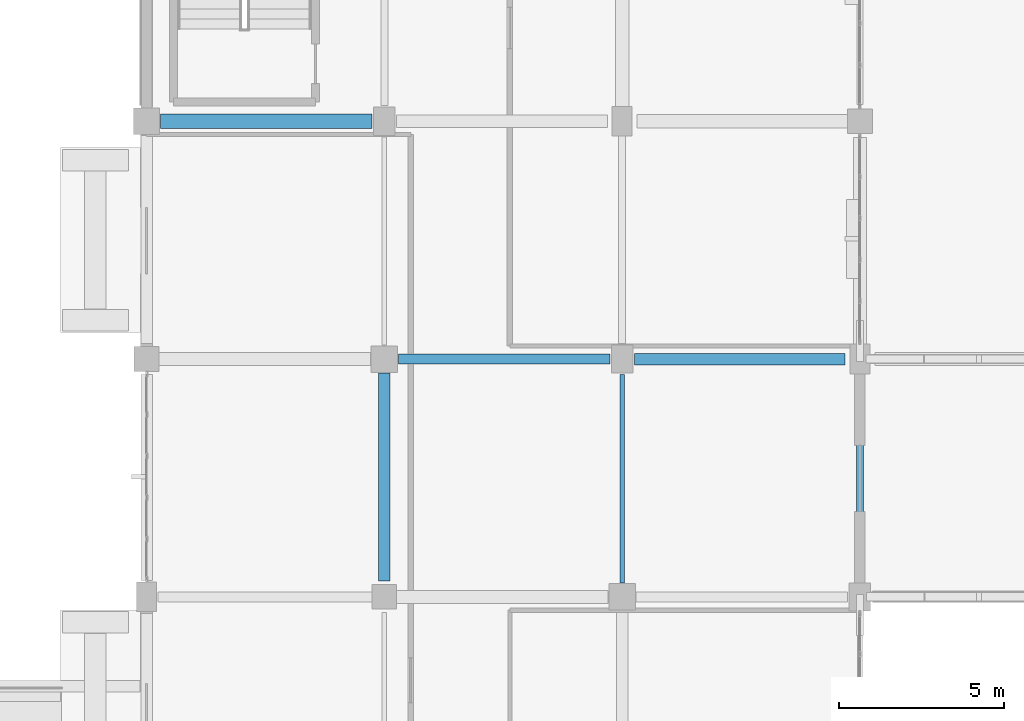
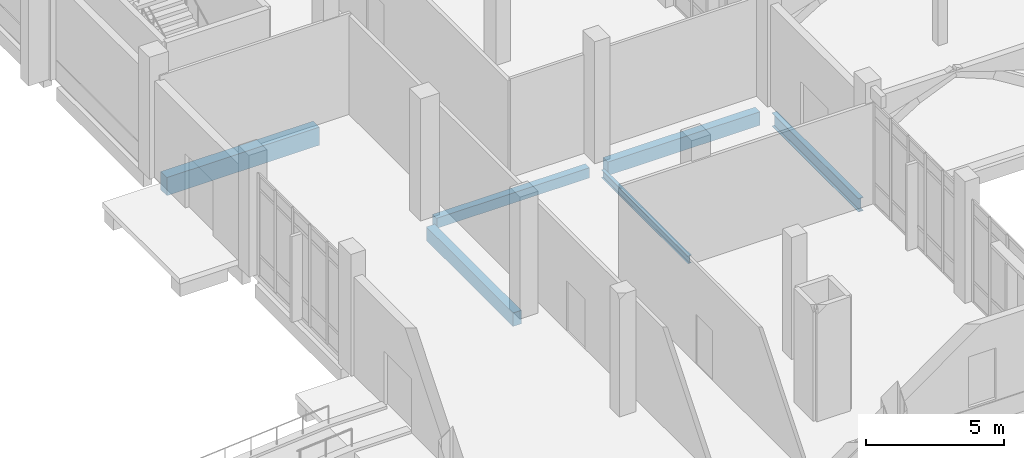
# One storey, part 14 of 110: 6 beams.
"""IFC4 building model written with IfcOpenShell, lengths in metres."""

from ifc_helpers import new_model, si_unit, direction, frame, origin, origin_2d, place, context, subcontext, project, spatial, rectangle, i_section, extrude, material, material_profile, profile_set, type_object, element, save


model = new_model("IFC4")

# Units and contexts
model_context = context("Model", 3, precision=1e-05, world=origin(), true_north=direction((0.0, 1.0)))
body_context = subcontext(model_context, "Body", "Model", "MODEL_VIEW")
ifc_project = project(units=[si_unit("LENGTHUNIT", "METRE"), si_unit("AREAUNIT", "SQUARE_METRE"), si_unit("VOLUMEUNIT", "CUBIC_METRE"), si_unit("PLANEANGLEUNIT", "RADIAN"), si_unit("MASSUNIT", "GRAM", prefix="KILO")], contexts=[model_context])

# Site, building, storey
site_placement = place(None, origin())
site = spatial("IfcSite", under=ifc_project, at=site_placement, CompositionType="ELEMENT")
building_placement = place(site_placement, origin())
building = spatial("IfcBuilding", under=site, at=building_placement, Name="Kalluvel Institute of Natural Sciences", CompositionType="ELEMENT")
storey_placement = place(building_placement, origin())
storey = spatial("IfcBuildingStorey", under=building, at=storey_placement, Name="L00", CompositionType="ELEMENT", Elevation=0.0)

# Beams
ifc_material_1 = material(Name="Steel E350 Grade 350", Category="steel")
ifc_material_profile_1 = material_profile(ifc_material_1, i_section(OverallWidth=0.139892578125, OverallDepth=0.35009765625, WebThickness=0.008056640625, FlangeThickness=0.01416015625, FilletRadius=0.013916015625, at=origin_2d()), Name="ISMB 350")
ifc_profile_set_1 = profile_set([ifc_material_profile_1], Name="Steel E350 Grade 350")
beam_type_1 = type_object("IfcBeamType", Name="BM-ISMB350", PredefinedType="BEAM", material=ifc_profile_set_1)
beam_1_placement = place(storey_placement, frame((28.39990234375, 28.824951171875, -0.4951171875), z_axis=(0.0, 1.0, 0.0), x_axis=(-1.0, 0.0, 0.0)))
element("IfcBeam", 1, at=beam_1_placement, inside=storey, type_object=beam_type_1, Name="L00 girder GIR-L00-NS-X284-Y284", PredefinedType="BEAM", context=body_context, shape_type="SweptSolid", body=[
    extrude(i_section(OverallWidth=0.139892578125, OverallDepth=0.35009765625, WebThickness=0.008056640625, FlangeThickness=0.01416015625, FilletRadius=0.013916015625, at=origin_2d()), origin(), (0.0, 0.0, 1.0), 6.300048828125),
])
ifc_material_profile_2 = material_profile(ifc_material_1, i_section(OverallWidth=0.2099609375, OverallDepth=0.60009765625, WebThickness=0.011962890625, FlangeThickness=0.020751953125, FilletRadius=0.02001953125, at=origin_2d()), Name="ISMB 600")
ifc_profile_set_2 = profile_set([ifc_material_profile_2], Name="Steel E350 Grade 350")
beam_type_2 = type_object("IfcBeamType", Name="BM-ISMB600", PredefinedType="BEAM", material=ifc_profile_set_2)
beam_2_placement = place(storey_placement, frame((35.60009765625, 28.875, -0.6201171875), z_axis=(0.0, 1.0, 0.0), x_axis=(-1.0, 0.0, 0.0)))
element("IfcBeam", 2, at=beam_2_placement, inside=storey, type_object=beam_type_2, Name="L00 girder GIR-L00-NS-X356-Y284", PredefinedType="BEAM", context=body_context, shape_type="SweptSolid", body=[
    extrude(i_section(OverallWidth=0.2099609375, OverallDepth=0.60009765625, WebThickness=0.011962890625, FlangeThickness=0.020751953125, FilletRadius=0.02001953125, at=origin_2d()), origin(), (0.0, 0.0, 1.0), 6.27490234375),
])
ifc_material_2 = material(Name="Concrete M40", Category="concrete")
ifc_material_profile_3 = material_profile(ifc_material_2, rectangle(XDim=0.35009765625, YDim=0.60009765625, at=origin_2d()), Name="RCB 350x600")
ifc_profile_set_3 = profile_set([ifc_material_profile_3], Name="Concrete M40")
beam_type_3 = type_object("IfcBeamType", Name="BM-RC350x600", PredefinedType="BEAM", material=ifc_profile_set_3)
beam_3_placement = place(storey_placement, frame((21.199951171875, 28.875, -0.6201171875), z_axis=(0.0, 1.0, 0.0), x_axis=(-1.0, 0.0, 0.0)))
element("IfcBeam", 3, at=beam_3_placement, inside=storey, type_object=beam_type_3, Name="L00 girder GIR-L00-NS-X212-Y284", PredefinedType="BEAM", context=body_context, shape_type="SweptSolid", body=[
    extrude(rectangle(XDim=0.35009765625, YDim=0.60009765625, at=origin_2d()), origin(), (0.0, 0.0, 1.0), 6.300048828125),
])
ifc_material_profile_4 = material_profile(ifc_material_2, rectangle(XDim=0.449951171875, YDim=0.800048828125, at=origin_2d()), Name="RCB 450x800")
ifc_profile_set_4 = profile_set([ifc_material_profile_4], Name="Concrete M40")
beam_type_4 = type_object("IfcBeamType", Name="BM-RC450x800", PredefinedType="BEAM", material=ifc_profile_set_4)
beam_4_placement = place(storey_placement, frame((14.425048828125, 42.800048828125, -0.719970703125), z_axis=(1.0, 0.0, 0.0), x_axis=(0.0, 1.0, 0.0)))
element("IfcBeam", 4, at=beam_4_placement, inside=storey, type_object=beam_type_4, Name="L00 girder GIR-L00-EW-X140-Y428", PredefinedType="BEAM", context=body_context, shape_type="SweptSolid", body=[
    extrude(rectangle(XDim=0.449951171875, YDim=0.800048828125, at=origin_2d()), origin(), (0.0, 0.0, 1.0), 6.39990234375),
])
ifc_material_profile_5 = material_profile(ifc_material_2, rectangle(XDim=0.300048828125, YDim=0.449951171875, at=origin_2d()), Name="RCB 300x450")
ifc_profile_set_5 = profile_set([ifc_material_profile_5], Name="Concrete M40")
beam_type_5 = type_object("IfcBeamType", Name="SP-RC300x450", PredefinedType="SPANDREL", material=ifc_profile_set_5)
beam_5_placement = place(storey_placement, frame((21.625, 35.60009765625, -0.544921875), z_axis=(1.0, 0.0, 0.0), x_axis=(0.0, 1.0, 0.0)))
element("IfcBeam", 5, at=beam_5_placement, inside=storey, type_object=beam_type_5, Name="L00 girder GIR-L00-EW-X212-Y356", PredefinedType="SPANDREL", context=body_context, shape_type="SweptSolid", body=[
    extrude(rectangle(XDim=0.300048828125, YDim=0.449951171875, at=origin_2d()), origin(), (0.0, 0.0, 1.0), 6.39990234375),
])
ifc_material_profile_6 = material_profile(ifc_material_2, rectangle(XDim=0.35009765625, YDim=0.60009765625, at=origin_2d()), Name="RCB 350x600")
ifc_profile_set_6 = profile_set([ifc_material_profile_6], Name="Concrete M40")
beam_type_6 = type_object("IfcBeamType", Name="SP-RC350x600", PredefinedType="SPANDREL", material=ifc_profile_set_6)
beam_6_placement = place(storey_placement, frame((28.77490234375, 35.60009765625, -0.6201171875), z_axis=(1.0, 0.0, 0.0), x_axis=(0.0, 1.0, 0.0)))
element("IfcBeam", 6, at=beam_6_placement, inside=storey, type_object=beam_type_6, Name="L00 girder GIR-L00-EW-X284-Y356", PredefinedType="SPANDREL", context=body_context, shape_type="SweptSolid", body=[
    extrude(rectangle(XDim=0.35009765625, YDim=0.60009765625, at=origin_2d()), origin(), (0.0, 0.0, 1.0), 6.375),
])

save(model, "model.ifc")
